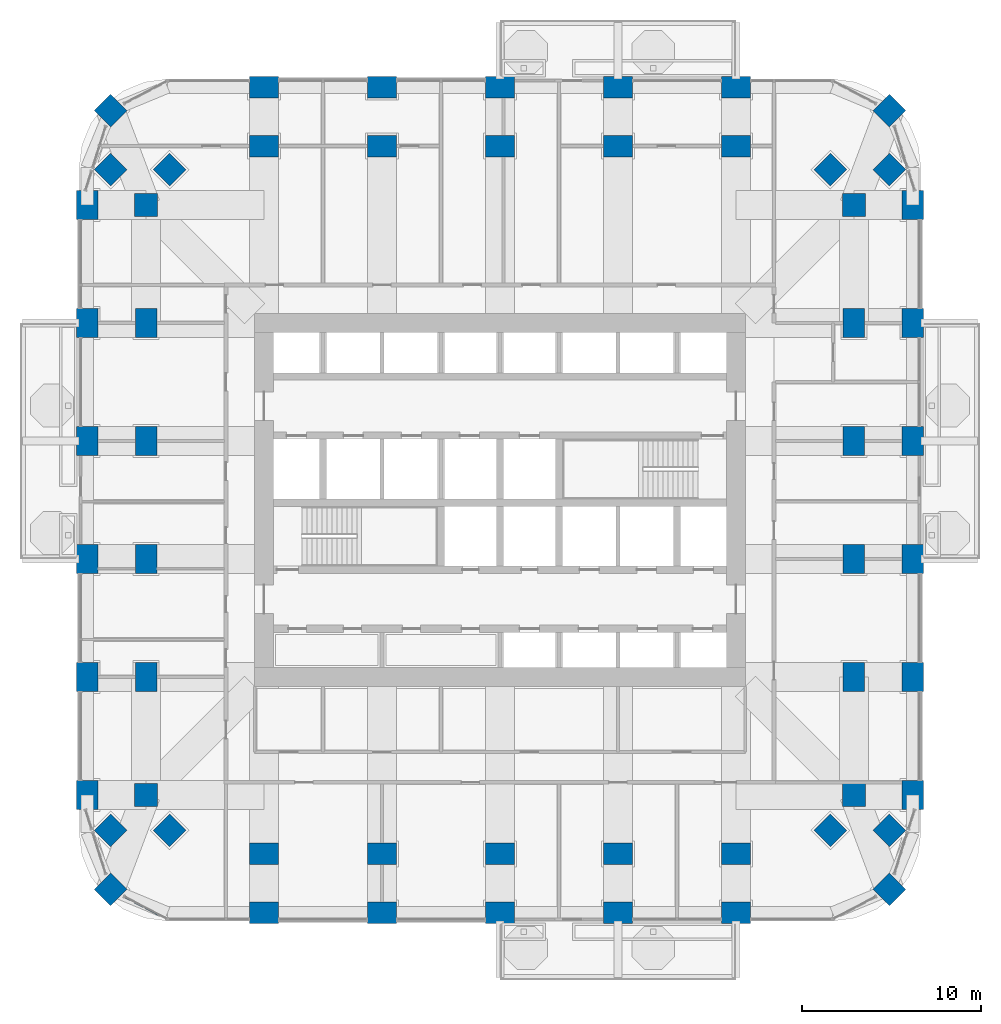
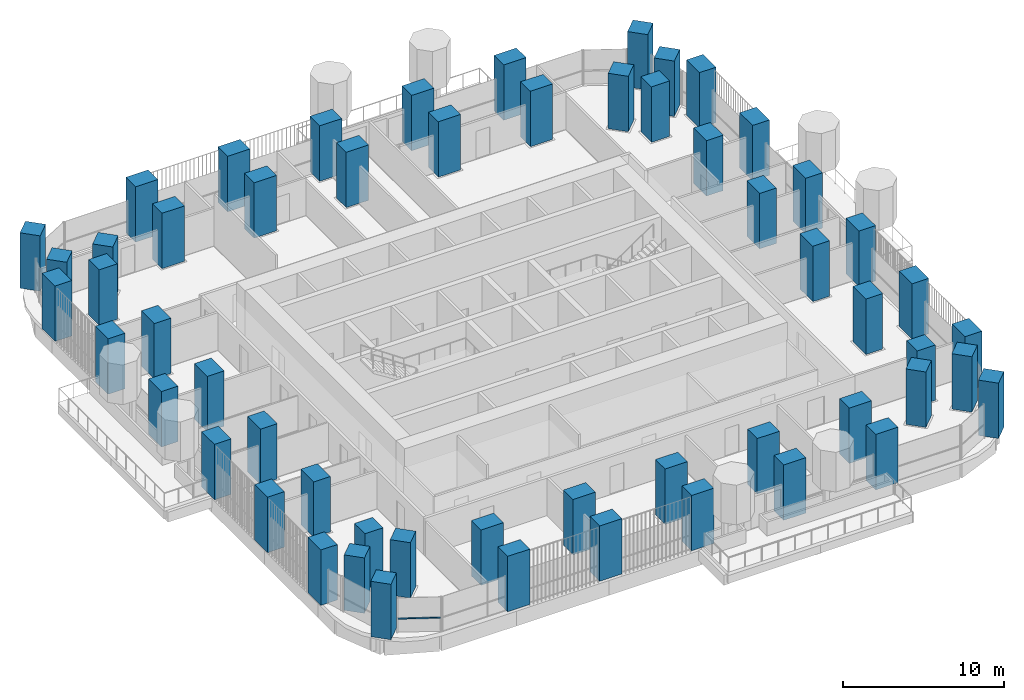
# One storey, part 1 of 22: 56 columns, 1 member, 1 element without a shape of its own.
"""IFC4 building model written with IfcOpenShell, lengths in metres."""

from ifc_helpers import new_model, si_unit, direction, frame, origin, origin_2d, place, context, subcontext, project, spatial, rectangle, extrude, material, material_profile, profile_set, type_object, element, aggregate, save


model = new_model("IFC4")

# Units and contexts
model_context = context("Model", 3, precision=1e-05, world=origin(), true_north=direction((0.0, 1.0)))
body_context = subcontext(model_context, "Body", "Model", "MODEL_VIEW")
ifc_project = project(units=[si_unit("LENGTHUNIT", "METRE"), si_unit("AREAUNIT", "SQUARE_METRE"), si_unit("VOLUMEUNIT", "CUBIC_METRE"), si_unit("PLANEANGLEUNIT", "RADIAN"), si_unit("MASSUNIT", "GRAM", prefix="KILO")], contexts=[model_context])

# Site, building, storey
site_placement = place(None, origin())
site = spatial("IfcSite", under=ifc_project, at=site_placement, CompositionType="ELEMENT")
building_placement = place(site_placement, origin())
building = spatial("IfcBuilding", under=site, at=building_placement, Name="Cobogo Forest Laboratory Tower", CompositionType="ELEMENT")
storey_placement = place(building_placement, frame((0.0, 0.0, 136.800048828125)))
storey = spatial("IfcBuildingStorey", under=building, at=storey_placement, Name="L31", CompositionType="ELEMENT", Elevation=136.800048828125)

# Columns
ifc_material_1 = material(Name="Concrete HA-50 (C50/60)", Category="concrete")
ifc_material_profile_1 = material_profile(ifc_material_1, rectangle(XDim=1.60009765625, YDim=1.199951171875, at=origin_2d()), Name="RC 1200x1600")
ifc_profile_set_1 = profile_set([ifc_material_profile_1], Name="Concrete HA-50 (C50/60)")
column_type_1 = type_object("IfcColumnType", Name="Blade column 1200x1600", PredefinedType="COLUMN", material=ifc_profile_set_1)
for number, where, z_axis, x_axis, name in (
    (1, (13.199951171875, 0.0, 0.0), (0.0, 0.0, 1.0), (1.0, 0.0, 0.0), "Column 3-A L31"),
    (2, (19.800048828125, 0.0, 0.0), (0.0, 0.0, 1.0), (1.0, 0.0, 0.0), "Column 4-A L31"),
    (3, (26.39990234375, 0.0, 0.0), (0.0, 0.0, 1.0), (1.0, 0.0, 0.0), "Column 5-A L31"),
    (4, (33.0, 0.0, 0.0), (0.0, 0.0, 1.0), (1.0, 0.0, 0.0), "Column 6-A L31"),
    (5, (39.60009765625, 0.0, 0.0), (0.0, 0.0, 1.0), (1.0, 0.0, 0.0), "Column 7-A L31"),
    (6, (3.300048828125, 6.60009765625, 0.0), (0.0, 0.0, 1.0), (0.0, 1.0, 0.0), "Column 1.1-B L31"),
    (7, (49.5, 6.60009765625, 0.0), (0.0, 0.0, 1.0), (0.0, 1.0, 0.0), "Column 8.1-B L31"),
    (8, (3.300048828125, 13.199951171875, 0.0), (0.0, 0.0, 1.0), (0.0, 1.0, 0.0), "Column 1.1-C L31"),
    (9, (49.5, 13.199951171875, 0.0), (0.0, 0.0, 1.0), (0.0, 1.0, 0.0), "Column 8.1-C L31"),
    (10, (3.300048828125, 19.800048828125, 0.0), (0.0, 0.0, 1.0), (0.0, 1.0, 0.0), "Column 1.1-D L31"),
    (11, (49.5, 19.800048828125, 0.0), (0.0, 0.0, 1.0), (0.0, 1.0, 0.0), "Column 8.1-D L31"),
    (12, (3.300048828125, 26.39990234375, 0.0), (0.0, 0.0, 1.0), (0.0, 1.0, 0.0), "Column 1.1-E L31"),
    (13, (49.5, 26.39990234375, 0.0), (0.0, 0.0, 1.0), (0.0, 1.0, 0.0), "Column 8.1-E L31"),
    (14, (3.300048828125, 33.0, 0.0), (0.0, 0.0, 1.0), (0.0, 1.0, 0.0), "Column 1.1-F L31"),
    (15, (49.5, 33.0, 0.0), (0.0, 0.0, 1.0), (0.0, 1.0, 0.0), "Column 8.1-F L31"),
    (16, (3.300048828125, 39.60009765625, 0.0), (0.0, 0.0, 1.0), (0.0, 1.0, 0.0), "Column 1.1-G L31"),
    (17, (49.5, 39.60009765625, 0.0), (0.0, 0.0, 1.0), (0.0, 1.0, 0.0), "Column 8.1-G L31"),
    (18, (13.199951171875, 46.199951171875, 0.0), (0.0, 0.0, 1.0), (1.0, 0.0, 0.0), "Column 3-H L31"),
    (19, (19.800048828125, 46.199951171875, 0.0), (0.0, 0.0, 1.0), (1.0, 0.0, 0.0), "Column 4-H L31"),
    (20, (26.39990234375, 46.199951171875, 0.0), (0.0, 0.0, 1.0), (1.0, 0.0, 0.0), "Column 5-H L31"),
    (21, (33.0, 46.199951171875, 0.0), (0.0, 0.0, 1.0), (1.0, 0.0, 0.0), "Column 6-H L31"),
    (22, (39.60009765625, 46.199951171875, 0.0), (0.0, 0.0, 1.0), (1.0, 0.0, 0.0), "Column 7-H L31"),
    (23, (13.199951171875, 3.300048828125, 0.0), (0.0, 0.0, 1.0), (1.0, 0.0, 0.0), "Column 3-A.1-C L31"),
    (24, (19.800048828125, 3.300048828125, 0.0), (0.0, 0.0, 1.0), (1.0, 0.0, 0.0), "Column 4-A.1-C L31"),
    (25, (26.39990234375, 3.300048828125, 0.0), (0.0, 0.0, 1.0), (1.0, 0.0, 0.0), "Column 5-A.1-C L31"),
    (26, (33.0, 3.300048828125, 0.0), (0.0, 0.0, 1.0), (1.0, 0.0, 0.0), "Column 6-A.1-C L31"),
    (27, (39.60009765625, 3.300048828125, 0.0), (0.0, 0.0, 1.0), (1.0, 0.0, 0.0), "Column 7-A.1-C L31"),
    (28, (13.199951171875, 42.89990234375, 0.0), (0.0, 0.0, 1.0), (1.0, 0.0, 0.0), "Column 3-G.1-C L31"),
    (29, (19.800048828125, 42.89990234375, 0.0), (0.0, 0.0, 1.0), (1.0, 0.0, 0.0), "Column 4-G.1-C L31"),
    (30, (26.39990234375, 42.89990234375, 0.0), (0.0, 0.0, 1.0), (1.0, 0.0, 0.0), "Column 5-G.1-C L31"),
    (31, (33.0, 42.89990234375, 0.0), (0.0, 0.0, 1.0), (1.0, 0.0, 0.0), "Column 6-G.1-C L31"),
    (32, (39.60009765625, 42.89990234375, 0.0), (0.0, 0.0, 1.0), (1.0, 0.0, 0.0), "Column 7-G.1-C L31"),
    (33, (6.60009765625, 13.199951171875, 0.0), (0.0, 0.0, 1.0), (0.0, 1.0, 0.0), "Column 2-C-D L31"),
    (34, (46.199951171875, 13.199951171875, 0.0), (0.0, 0.0, 1.0), (0.0, 1.0, 0.0), "Column 8-C-D L31"),
    (35, (6.60009765625, 19.800048828125, 0.0), (0.0, 0.0, 1.0), (0.0, 1.0, 0.0), "Column 2-D-D L31"),
    (36, (46.199951171875, 19.800048828125, 0.0), (0.0, 0.0, 1.0), (0.0, 1.0, 0.0), "Column 8-D-D L31"),
    (37, (6.60009765625, 26.39990234375, 0.0), (0.0, 0.0, 1.0), (0.0, 1.0, 0.0), "Column 2-E-D L31"),
    (38, (46.199951171875, 26.39990234375, 0.0), (0.0, 0.0, 1.0), (0.0, 1.0, 0.0), "Column 8-E-D L31"),
    (39, (6.60009765625, 33.0, 0.0), (0.0, 0.0, 1.0), (0.0, 1.0, 0.0), "Column 2-F-D L31"),
    (40, (46.199951171875, 33.0, 0.0), (0.0, 0.0, 1.0), (0.0, 1.0, 0.0), "Column 8-F-D L31"),
):
    element("IfcColumn", number, at=place(storey_placement, frame(where, z_axis=z_axis, x_axis=x_axis)), inside=storey, type_object=column_type_1, Name=name, PredefinedType="COLUMN", context=body_context, shape_type="SweptSolid", body=[
        extrude(rectangle(XDim=1.60009765625, YDim=1.199951171875, at=origin_2d()), origin(), (0.0, 0.0, 1.0), 4.199951171875),
    ])
ifc_material_profile_2 = material_profile(ifc_material_1, rectangle(XDim=1.300048828125, YDim=1.300048828125, at=origin_2d()), Name="RC 1300x1300")
ifc_profile_set_2 = profile_set([ifc_material_profile_2], Name="Concrete HA-50 (C50/60)")
column_type_2 = type_object("IfcColumnType", Name="Column 1300x1300", PredefinedType="COLUMN", material=ifc_profile_set_2)
for number, where, z_axis, x_axis, name in (
    (41, (4.617919921875, 1.318115234375, 0.0), (0.0, 0.0, 1.0), (0.707106781187, 0.707106781187, 0.0), "Column CNR-SW L31"),
    (42, (48.181884765625, 1.318115234375, 0.0), (0.0, 0.0, 1.0), (0.707106781187, 0.707106781187, 0.0), "Column CNR-SE L31"),
    (43, (4.617919921875, 44.882080078125, 0.0), (0.0, 0.0, 1.0), (0.707106781187, 0.707106781187, 0.0), "Column CNR-NW L31"),
    (44, (48.181884765625, 44.882080078125, 0.0), (0.0, 0.0, 1.0), (0.707106781187, 0.707106781187, 0.0), "Column CNR-NE L31"),
    (45, (6.60009765625, 6.60009765625, 0.0), (0.0, 0.0, 1.0), (1.0, 0.0, 0.0), "Column 2-B L31"),
    (46, (46.199951171875, 6.60009765625, 0.0), (0.0, 0.0, 1.0), (1.0, 0.0, 0.0), "Column 8-B L31"),
    (47, (6.60009765625, 39.60009765625, 0.0), (0.0, 0.0, 1.0), (1.0, 0.0, 0.0), "Column 2-G L31"),
    (48, (46.199951171875, 39.60009765625, 0.0), (0.0, 0.0, 1.0), (1.0, 0.0, 0.0), "Column 8-G L31"),
    (49, (4.617919921875, 4.617919921875, 0.0), (0.0, 0.0, 1.0), (0.707106781187, 0.707106781187, 0.0), "Column CNR-SW-C L31"),
    (50, (48.181884765625, 4.617919921875, 0.0), (0.0, 0.0, 1.0), (0.707106781187, 0.707106781187, 0.0), "Column CNR-SE-C L31"),
    (51, (4.617919921875, 41.58203125, 0.0), (0.0, 0.0, 1.0), (0.707106781187, 0.707106781187, 0.0), "Column CNR-NW-C L31"),
    (52, (48.181884765625, 41.58203125, 0.0), (0.0, 0.0, 1.0), (0.707106781187, 0.707106781187, 0.0), "Column CNR-NE-C L31"),
    (53, (7.91796875, 4.617919921875, 0.0), (0.0, 0.0, 1.0), (0.707106781187, 0.707106781187, 0.0), "Column CNR-SW-D L31"),
    (54, (44.882080078125, 4.617919921875, 0.0), (0.0, 0.0, 1.0), (0.707106781187, 0.707106781187, 0.0), "Column CNR-SE-D L31"),
    (55, (7.91796875, 41.58203125, 0.0), (0.0, 0.0, 1.0), (0.707106781187, 0.707106781187, 0.0), "Column CNR-NW-D L31"),
    (56, (44.882080078125, 41.58203125, 0.0), (0.0, 0.0, 1.0), (0.707106781187, 0.707106781187, 0.0), "Column CNR-NE-D L31"),
):
    element("IfcColumn", number, at=place(storey_placement, frame(where, z_axis=z_axis, x_axis=x_axis)), inside=storey, type_object=column_type_2, Name=name, PredefinedType="COLUMN", context=body_context, shape_type="SweptSolid", body=[
        extrude(rectangle(XDim=1.300048828125, YDim=1.300048828125, at=origin_2d()), origin(), (0.0, 0.0, 1.0), 4.199951171875),
    ])

# Curtain wall, member
ifc_material_2 = material(Name="Aluminium curtain wall", Category="aluminium")
curtain_wall_type = type_object("IfcCurtainWallType", Name="CW-1 unitised curtain wall, clear glazing, laboratory floors zones A and B", PredefinedType="USERDEFINED", material=ifc_material_2)
curtain_wall_placement = place(storey_placement, origin())
curtain_wall = element("IfcCurtainWall", 57, at=curtain_wall_placement, inside=storey, type_object=curtain_wall_type, Name="Curtain wall 34 L31", ObjectType="UNITISED CURTAIN WALL", PredefinedType="USERDEFINED")
ifc_material_3 = material(Name="Aluminium transom", Category="aluminium")
ifc_material_profile_3 = material_profile(ifc_material_3, rectangle(XDim=0.1201171875, YDim=0.06005859375, at=origin_2d()), Name="AL 60x120")
ifc_profile_set_3 = profile_set([ifc_material_profile_3], Name="Aluminium transom")
member_type = type_object("IfcMemberType", Name="TR-1 aluminium transom 60x120", PredefinedType="USERDEFINED", material=ifc_profile_set_3)
member_placement = place(storey_placement, frame((5.394775390625, 0.910888671875, 1.050048828125), z_axis=(0.885694740493, -0.464268054753, 0.0), x_axis=(0.464268054753, 0.885694740493, 0.0)))
member = element("IfcMember", 58, at=member_placement, type_object=member_type, Name="CW-1 transom 1.1", ObjectType="TRANSOM", PredefinedType="USERDEFINED", context=body_context, shape_type="SweptSolid", body=[
    extrude(rectangle(XDim=0.1201171875, YDim=0.06005859375, at=origin_2d()), origin(), (0.0, 0.0, 1.0), 2.655517578125),
])
aggregate(curtain_wall, [member])

save(model, "model.ifc")
